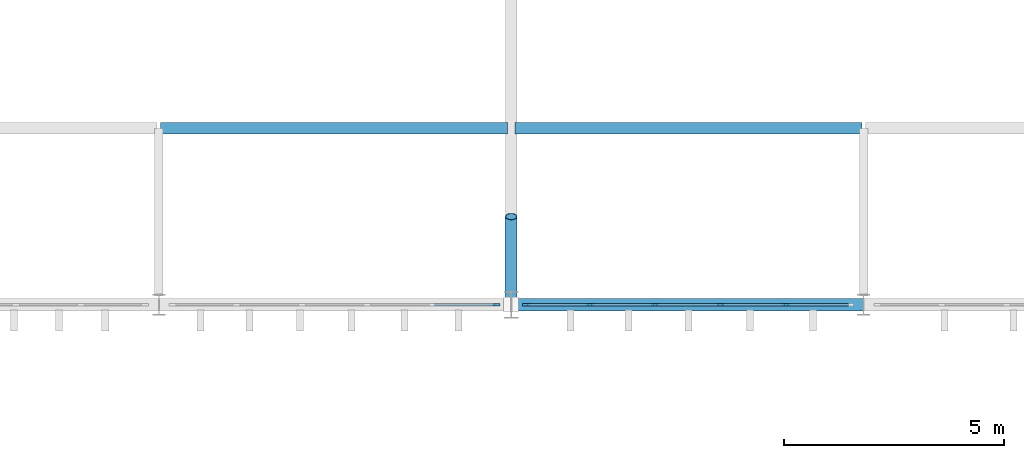
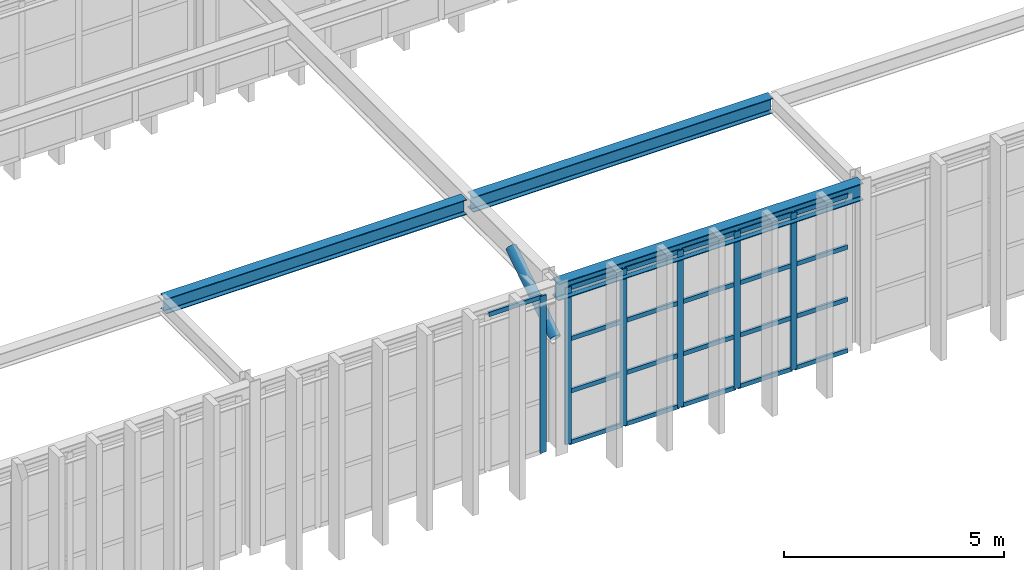
# One storey, part 20 of 61: 28 members, 3 beams, 2 elements without a shape of their own.
"""IFC4 building model written with IfcOpenShell, lengths in metres."""

from ifc_helpers import new_model, si_unit, direction, frame, origin, origin_2d, place, context, subcontext, project, spatial, rectangle, hollow_circle, i_section, extrude, material, material_profile, profile_set, type_object, element, aggregate, save


model = new_model("IFC4")

# Units and contexts
model_context = context("Model", 3, precision=1e-05, world=origin(), true_north=direction((0.0, 1.0)))
body_context = subcontext(model_context, "Body", "Model", "MODEL_VIEW")
ifc_project = project(units=[si_unit("LENGTHUNIT", "METRE"), si_unit("AREAUNIT", "SQUARE_METRE"), si_unit("VOLUMEUNIT", "CUBIC_METRE"), si_unit("PLANEANGLEUNIT", "RADIAN"), si_unit("MASSUNIT", "GRAM", prefix="KILO")], contexts=[model_context])

# Site, building, storey
site_placement = place(None, origin())
site = spatial("IfcSite", under=ifc_project, at=site_placement, CompositionType="ELEMENT")
building_placement = place(site_placement, origin())
building = spatial("IfcBuilding", under=site, at=building_placement, Name="Serraluz Foothill Cableway Terminal", CompositionType="ELEMENT")
storey_placement = place(building_placement, frame((0.0, 0.0, 15.0)))
storey = spatial("IfcBuildingStorey", under=building, at=storey_placement, Name="L03", CompositionType="ELEMENT", Elevation=15.0)

# Curtain wall, member
ifc_material_1 = material(Name="Architectural bronze alloy C28000", Category="aluminium")
curtain_wall_type_1 = type_object("IfcCurtainWallType", Name="TYP-CW-380X420", PredefinedType="NOTDEFINED", material=ifc_material_1)
curtain_wall_1_placement = place(storey_placement, origin())
curtain_wall_1 = element("IfcCurtainWall", 1, at=curtain_wall_1_placement, inside=storey, type_object=curtain_wall_type_1, Name="Ribbed Glazed Curtain Wall CW-V1S-L03-112", PredefinedType="NOTDEFINED")
ifc_material_profile_1 = material_profile(ifc_material_1, rectangle(XDim=0.06005859375, YDim=0.159912109375, at=origin_2d()), Name="ALU MULLION 60x160")
ifc_profile_set_1 = profile_set([ifc_material_profile_1], Name="Architectural bronze alloy C28000")
member_type_1 = type_object("IfcMemberType", Name="TYP-CW-MUL-60X160", PredefinedType="MULLION", material=ifc_profile_set_1)
member_1_placement = place(storey_placement, frame((119.66748046875, 56.0, 0.0), z_axis=(0.0, 0.0, 1.0), x_axis=(0.0, -1.0, 0.0)))
member_1 = element("IfcMember", 2, at=member_1_placement, type_object=member_type_1, Name="CW-17 mullion 1", PredefinedType="MULLION", context=body_context, shape_type="SweptSolid", body=[
    extrude(rectangle(XDim=0.06005859375, YDim=0.159912109375, at=origin_2d()), origin(), (0.0, 0.0, 1.0), 4.35009765625),
])

# Curtain wall, members
curtain_wall_type_2 = type_object("IfcCurtainWallType", Name="TYP-CW-360X380", PredefinedType="NOTDEFINED", material=ifc_material_1)
curtain_wall_2_placement = place(storey_placement, origin())
curtain_wall_2 = element("IfcCurtainWall", 3, at=curtain_wall_2_placement, inside=storey, type_object=curtain_wall_type_2, Name="Ribbed Glazed Curtain Wall CW-V1S-L03-120", PredefinedType="NOTDEFINED")
member_2_placement = place(storey_placement, frame((126.2353515625, 56.0, 0.0), z_axis=(0.0, 0.0, 1.0), x_axis=(0.0, -1.0, 0.0)))
member_2 = element("IfcMember", 4, at=member_2_placement, type_object=member_type_1, Name="CW-18 mullion 2", PredefinedType="MULLION", context=body_context, shape_type="SweptSolid", body=[
    extrude(rectangle(XDim=0.06005859375, YDim=0.159912109375, at=origin_2d()), origin(), (0.0, 0.0, 1.0), 4.35009765625),
])
member_3_placement = place(storey_placement, frame((124.752197265625, 56.0, 0.0), z_axis=(0.0, 0.0, 1.0), x_axis=(0.0, -1.0, 0.0)))
member_3 = element("IfcMember", 5, at=member_3_placement, type_object=member_type_1, Name="CW-18 mullion 3", PredefinedType="MULLION", context=body_context, shape_type="SweptSolid", body=[
    extrude(rectangle(XDim=0.06005859375, YDim=0.159912109375, at=origin_2d()), origin(), (0.0, 0.0, 1.0), 4.35009765625),
])
member_4_placement = place(storey_placement, frame((123.268798828125, 56.0, 0.0), z_axis=(0.0, 0.0, 1.0), x_axis=(0.0, -1.0, 0.0)))
member_4 = element("IfcMember", 6, at=member_4_placement, type_object=member_type_1, Name="CW-18 mullion 4", PredefinedType="MULLION", context=body_context, shape_type="SweptSolid", body=[
    extrude(rectangle(XDim=0.06005859375, YDim=0.159912109375, at=origin_2d()), origin(), (0.0, 0.0, 1.0), 4.35009765625),
])
member_5_placement = place(storey_placement, frame((121.78564453125, 56.0, 0.0), z_axis=(0.0, 0.0, 1.0), x_axis=(0.0, -1.0, 0.0)))
member_5 = element("IfcMember", 7, at=member_5_placement, type_object=member_type_1, Name="CW-18 mullion 5", PredefinedType="MULLION", context=body_context, shape_type="SweptSolid", body=[
    extrude(rectangle(XDim=0.06005859375, YDim=0.159912109375, at=origin_2d()), origin(), (0.0, 0.0, 1.0), 4.35009765625),
])
member_6_placement = place(storey_placement, frame((120.33251953125, 56.0, 0.0), z_axis=(0.0, 0.0, 1.0), x_axis=(0.0, -1.0, 0.0)))
member_6 = element("IfcMember", 8, at=member_6_placement, type_object=member_type_1, Name="CW-18 mullion 6", PredefinedType="MULLION", context=body_context, shape_type="SweptSolid", body=[
    extrude(rectangle(XDim=0.06005859375, YDim=0.159912109375, at=origin_2d()), origin(), (0.0, 0.0, 1.0), 4.35009765625),
])

# Member
ifc_material_profile_2 = material_profile(ifc_material_1, rectangle(XDim=0.06005859375, YDim=0.1201171875, at=origin_2d()), Name="ALU TRANSOM 60x120")
ifc_profile_set_2 = profile_set([ifc_material_profile_2], Name="Architectural bronze alloy C28000")
member_type_2 = type_object("IfcMemberType", Name="TYP-CW-TRN-60X120", PredefinedType="USERDEFINED", material=ifc_profile_set_2)
member_7_placement = place(storey_placement, frame((119.637451171875, 56.0, 4.320068359375), z_axis=(-1.0, 0.0, 0.0), x_axis=(0.0, -1.0, 0.0)))
member_7 = element("IfcMember", 9, at=member_7_placement, type_object=member_type_2, Name="CW-17 transom 1.4", ObjectType="TRANSOM", PredefinedType="USERDEFINED", context=body_context, shape_type="SweptSolid", body=[
    extrude(rectangle(XDim=0.06005859375, YDim=0.1201171875, at=origin_2d()), origin(), (0.0, 0.0, 1.0), 1.39306640625),
])

aggregate(curtain_wall_1, [member_1, member_7])

member_8_placement = place(storey_placement, frame((127.658447265625, 56.0, 0.030029296875), z_axis=(-1.0, 0.0, 0.0), x_axis=(0.0, -1.0, 0.0)))
member_8 = element("IfcMember", 10, at=member_8_placement, type_object=member_type_2, Name="CW-18 transom 1.1", ObjectType="TRANSOM", PredefinedType="USERDEFINED", context=body_context, shape_type="SweptSolid", body=[
    extrude(rectangle(XDim=0.06005859375, YDim=0.1201171875, at=origin_2d()), origin(), (0.0, 0.0, 1.0), 1.39306640625),
])

member_9_placement = place(storey_placement, frame((127.658447265625, 56.0, 1.449951171875), z_axis=(-1.0, 0.0, 0.0), x_axis=(0.0, -1.0, 0.0)))
member_9 = element("IfcMember", 11, at=member_9_placement, type_object=member_type_2, Name="CW-18 transom 1.2", ObjectType="TRANSOM", PredefinedType="USERDEFINED", context=body_context, shape_type="SweptSolid", body=[
    extrude(rectangle(XDim=0.06005859375, YDim=0.1201171875, at=origin_2d()), origin(), (0.0, 0.0, 1.0), 1.39306640625),
])

member_10_placement = place(storey_placement, frame((127.658447265625, 56.0, 2.89990234375), z_axis=(-1.0, 0.0, 0.0), x_axis=(0.0, -1.0, 0.0)))
member_10 = element("IfcMember", 12, at=member_10_placement, type_object=member_type_2, Name="CW-18 transom 1.3", ObjectType="TRANSOM", PredefinedType="USERDEFINED", context=body_context, shape_type="SweptSolid", body=[
    extrude(rectangle(XDim=0.06005859375, YDim=0.1201171875, at=origin_2d()), origin(), (0.0, 0.0, 1.0), 1.39306640625),
])

member_11_placement = place(storey_placement, frame((127.658447265625, 56.0, 4.320068359375), z_axis=(-1.0, 0.0, 0.0), x_axis=(0.0, -1.0, 0.0)))
member_11 = element("IfcMember", 13, at=member_11_placement, type_object=member_type_2, Name="CW-18 transom 1.4", ObjectType="TRANSOM", PredefinedType="USERDEFINED", context=body_context, shape_type="SweptSolid", body=[
    extrude(rectangle(XDim=0.06005859375, YDim=0.1201171875, at=origin_2d()), origin(), (0.0, 0.0, 1.0), 1.39306640625),
])

member_12_placement = place(storey_placement, frame((126.205322265625, 56.0, 0.030029296875), z_axis=(-1.0, 0.0, 0.0), x_axis=(0.0, -1.0, 0.0)))
member_12 = element("IfcMember", 14, at=member_12_placement, type_object=member_type_2, Name="CW-18 transom 2.1", ObjectType="TRANSOM", PredefinedType="USERDEFINED", context=body_context, shape_type="SweptSolid", body=[
    extrude(rectangle(XDim=0.06005859375, YDim=0.1201171875, at=origin_2d()), origin(), (0.0, 0.0, 1.0), 1.42333984375),
])

member_13_placement = place(storey_placement, frame((126.205322265625, 56.0, 1.449951171875), z_axis=(-1.0, 0.0, 0.0), x_axis=(0.0, -1.0, 0.0)))
member_13 = element("IfcMember", 15, at=member_13_placement, type_object=member_type_2, Name="CW-18 transom 2.2", ObjectType="TRANSOM", PredefinedType="USERDEFINED", context=body_context, shape_type="SweptSolid", body=[
    extrude(rectangle(XDim=0.06005859375, YDim=0.1201171875, at=origin_2d()), origin(), (0.0, 0.0, 1.0), 1.42333984375),
])

member_14_placement = place(storey_placement, frame((126.205322265625, 56.0, 2.89990234375), z_axis=(-1.0, 0.0, 0.0), x_axis=(0.0, -1.0, 0.0)))
member_14 = element("IfcMember", 16, at=member_14_placement, type_object=member_type_2, Name="CW-18 transom 2.3", ObjectType="TRANSOM", PredefinedType="USERDEFINED", context=body_context, shape_type="SweptSolid", body=[
    extrude(rectangle(XDim=0.06005859375, YDim=0.1201171875, at=origin_2d()), origin(), (0.0, 0.0, 1.0), 1.42333984375),
])

member_15_placement = place(storey_placement, frame((126.205322265625, 56.0, 4.320068359375), z_axis=(-1.0, 0.0, 0.0), x_axis=(0.0, -1.0, 0.0)))
member_15 = element("IfcMember", 17, at=member_15_placement, type_object=member_type_2, Name="CW-18 transom 2.4", ObjectType="TRANSOM", PredefinedType="USERDEFINED", context=body_context, shape_type="SweptSolid", body=[
    extrude(rectangle(XDim=0.06005859375, YDim=0.1201171875, at=origin_2d()), origin(), (0.0, 0.0, 1.0), 1.42333984375),
])

member_16_placement = place(storey_placement, frame((124.72216796875, 56.0, 0.030029296875), z_axis=(-1.0, 0.0, 0.0), x_axis=(0.0, -1.0, 0.0)))
member_16 = element("IfcMember", 18, at=member_16_placement, type_object=member_type_2, Name="CW-18 transom 3.1", ObjectType="TRANSOM", PredefinedType="USERDEFINED", context=body_context, shape_type="SweptSolid", body=[
    extrude(rectangle(XDim=0.06005859375, YDim=0.1201171875, at=origin_2d()), origin(), (0.0, 0.0, 1.0), 1.42333984375),
])

member_17_placement = place(storey_placement, frame((124.72216796875, 56.0, 1.449951171875), z_axis=(-1.0, 0.0, 0.0), x_axis=(0.0, -1.0, 0.0)))
member_17 = element("IfcMember", 19, at=member_17_placement, type_object=member_type_2, Name="CW-18 transom 3.2", ObjectType="TRANSOM", PredefinedType="USERDEFINED", context=body_context, shape_type="SweptSolid", body=[
    extrude(rectangle(XDim=0.06005859375, YDim=0.1201171875, at=origin_2d()), origin(), (0.0, 0.0, 1.0), 1.42333984375),
])

member_18_placement = place(storey_placement, frame((124.72216796875, 56.0, 2.89990234375), z_axis=(-1.0, 0.0, 0.0), x_axis=(0.0, -1.0, 0.0)))
member_18 = element("IfcMember", 20, at=member_18_placement, type_object=member_type_2, Name="CW-18 transom 3.3", ObjectType="TRANSOM", PredefinedType="USERDEFINED", context=body_context, shape_type="SweptSolid", body=[
    extrude(rectangle(XDim=0.06005859375, YDim=0.1201171875, at=origin_2d()), origin(), (0.0, 0.0, 1.0), 1.42333984375),
])

member_19_placement = place(storey_placement, frame((124.72216796875, 56.0, 4.320068359375), z_axis=(-1.0, 0.0, 0.0), x_axis=(0.0, -1.0, 0.0)))
member_19 = element("IfcMember", 21, at=member_19_placement, type_object=member_type_2, Name="CW-18 transom 3.4", ObjectType="TRANSOM", PredefinedType="USERDEFINED", context=body_context, shape_type="SweptSolid", body=[
    extrude(rectangle(XDim=0.06005859375, YDim=0.1201171875, at=origin_2d()), origin(), (0.0, 0.0, 1.0), 1.42333984375),
])

member_20_placement = place(storey_placement, frame((123.239013671875, 56.0, 0.030029296875), z_axis=(-1.0, 0.0, 0.0), x_axis=(0.0, -1.0, 0.0)))
member_20 = element("IfcMember", 22, at=member_20_placement, type_object=member_type_2, Name="CW-18 transom 4.1", ObjectType="TRANSOM", PredefinedType="USERDEFINED", context=body_context, shape_type="SweptSolid", body=[
    extrude(rectangle(XDim=0.06005859375, YDim=0.1201171875, at=origin_2d()), origin(), (0.0, 0.0, 1.0), 1.42333984375),
])

member_21_placement = place(storey_placement, frame((123.239013671875, 56.0, 1.449951171875), z_axis=(-1.0, 0.0, 0.0), x_axis=(0.0, -1.0, 0.0)))
member_21 = element("IfcMember", 23, at=member_21_placement, type_object=member_type_2, Name="CW-18 transom 4.2", ObjectType="TRANSOM", PredefinedType="USERDEFINED", context=body_context, shape_type="SweptSolid", body=[
    extrude(rectangle(XDim=0.06005859375, YDim=0.1201171875, at=origin_2d()), origin(), (0.0, 0.0, 1.0), 1.42333984375),
])

member_22_placement = place(storey_placement, frame((123.239013671875, 56.0, 2.89990234375), z_axis=(-1.0, 0.0, 0.0), x_axis=(0.0, -1.0, 0.0)))
member_22 = element("IfcMember", 24, at=member_22_placement, type_object=member_type_2, Name="CW-18 transom 4.3", ObjectType="TRANSOM", PredefinedType="USERDEFINED", context=body_context, shape_type="SweptSolid", body=[
    extrude(rectangle(XDim=0.06005859375, YDim=0.1201171875, at=origin_2d()), origin(), (0.0, 0.0, 1.0), 1.42333984375),
])

member_23_placement = place(storey_placement, frame((123.239013671875, 56.0, 4.320068359375), z_axis=(-1.0, 0.0, 0.0), x_axis=(0.0, -1.0, 0.0)))
member_23 = element("IfcMember", 25, at=member_23_placement, type_object=member_type_2, Name="CW-18 transom 4.4", ObjectType="TRANSOM", PredefinedType="USERDEFINED", context=body_context, shape_type="SweptSolid", body=[
    extrude(rectangle(XDim=0.06005859375, YDim=0.1201171875, at=origin_2d()), origin(), (0.0, 0.0, 1.0), 1.42333984375),
])

member_24_placement = place(storey_placement, frame((121.755615234375, 56.0, 0.030029296875), z_axis=(-1.0, 0.0, 0.0), x_axis=(0.0, -1.0, 0.0)))
member_24 = element("IfcMember", 26, at=member_24_placement, type_object=member_type_2, Name="CW-18 transom 5.1", ObjectType="TRANSOM", PredefinedType="USERDEFINED", context=body_context, shape_type="SweptSolid", body=[
    extrude(rectangle(XDim=0.06005859375, YDim=0.1201171875, at=origin_2d()), origin(), (0.0, 0.0, 1.0), 1.39306640625),
])

member_25_placement = place(storey_placement, frame((121.755615234375, 56.0, 1.449951171875), z_axis=(-1.0, 0.0, 0.0), x_axis=(0.0, -1.0, 0.0)))
member_25 = element("IfcMember", 27, at=member_25_placement, type_object=member_type_2, Name="CW-18 transom 5.2", ObjectType="TRANSOM", PredefinedType="USERDEFINED", context=body_context, shape_type="SweptSolid", body=[
    extrude(rectangle(XDim=0.06005859375, YDim=0.1201171875, at=origin_2d()), origin(), (0.0, 0.0, 1.0), 1.39306640625),
])

member_26_placement = place(storey_placement, frame((121.755615234375, 56.0, 2.89990234375), z_axis=(-1.0, 0.0, 0.0), x_axis=(0.0, -1.0, 0.0)))
member_26 = element("IfcMember", 28, at=member_26_placement, type_object=member_type_2, Name="CW-18 transom 5.3", ObjectType="TRANSOM", PredefinedType="USERDEFINED", context=body_context, shape_type="SweptSolid", body=[
    extrude(rectangle(XDim=0.06005859375, YDim=0.1201171875, at=origin_2d()), origin(), (0.0, 0.0, 1.0), 1.39306640625),
])

member_27_placement = place(storey_placement, frame((121.755615234375, 56.0, 4.320068359375), z_axis=(-1.0, 0.0, 0.0), x_axis=(0.0, -1.0, 0.0)))
member_27 = element("IfcMember", 29, at=member_27_placement, type_object=member_type_2, Name="CW-18 transom 5.4", ObjectType="TRANSOM", PredefinedType="USERDEFINED", context=body_context, shape_type="SweptSolid", body=[
    extrude(rectangle(XDim=0.06005859375, YDim=0.1201171875, at=origin_2d()), origin(), (0.0, 0.0, 1.0), 1.39306640625),
])

aggregate(curtain_wall_2, [member_2, member_3, member_4, member_5, member_6, member_8, member_9, member_10, member_11, member_12, member_13, member_14, member_15, member_16, member_17, member_18, member_19, member_20, member_21, member_22, member_23, member_24, member_25, member_26, member_27])

# Beams
ifc_material_2 = material(Name="Steel ASTM A992 Grade 50", Category="steel")
ifc_material_profile_3 = material_profile(ifc_material_2, i_section(OverallWidth=0.260009765625, OverallDepth=0.4189453125, WebThickness=0.01171875, FlangeThickness=0.019287109375, FilletRadius=0.013916015625, at=origin_2d()), Name="W16X77")
ifc_profile_set_3 = profile_set([ifc_material_profile_3], Name="Steel ASTM A992 Grade 50")
beam_type_1 = type_object("IfcBeamType", Name="TYP-JS-W16X77", PredefinedType="JOIST", material=ifc_profile_set_3)
for number, where, z_axis, x_axis, name in (
    (30, (112.0400390625, 60.0, 4.35009765625), (1.0, 0.0, 0.0), (0.0, 1.0, 0.0), "Eaves Gallery Support Beam 112-60"),
    (31, (120.0849609375, 60.0, 4.35009765625), (1.0, 0.0, 0.0), (0.0, 1.0, 0.0), "Eaves Gallery Support Beam 120-60"),
):
    element("IfcBeam", number, at=place(storey_placement, frame(where, z_axis=z_axis, x_axis=x_axis)), inside=storey, type_object=beam_type_1, Name=name, PredefinedType="JOIST", context=body_context, shape_type="SweptSolid", body=[
        extrude(i_section(OverallWidth=0.260009765625, OverallDepth=0.4189453125, WebThickness=0.01171875, FlangeThickness=0.019287109375, FilletRadius=0.013916015625, at=origin_2d()), origin(), (0.0, 0.0, 1.0), 7.875),
    ])
ifc_material_profile_4 = material_profile(ifc_material_2, i_section(OverallWidth=0.282958984375, OverallDepth=0.471923828125, WebThickness=0.013671875, FlangeThickness=0.022216796875, FilletRadius=0.014892578125, at=origin_2d()), Name="W18X97")
ifc_profile_set_4 = profile_set([ifc_material_profile_4], Name="Steel ASTM A992 Grade 50")
beam_type_2 = type_object("IfcBeamType", Name="TYP-SP-W18X97", PredefinedType="SPANDREL", material=ifc_profile_set_4)
beam_placement = place(storey_placement, frame((120.0048828125, 56.0, 4.384033203125), z_axis=(1.0, 0.0, 0.0), x_axis=(0.0, 1.0, 0.0)))
element("IfcBeam", 32, at=beam_placement, inside=storey, type_object=beam_type_2, Name="Primary Girder BM-X-L03-0358", PredefinedType="SPANDREL", context=body_context, shape_type="SweptSolid", body=[
    extrude(i_section(OverallWidth=0.282958984375, OverallDepth=0.471923828125, WebThickness=0.013671875, FlangeThickness=0.022216796875, FilletRadius=0.014892578125, at=origin_2d()), origin(), (0.0, 0.0, 1.0), 7.990234375),
])

# Member
ifc_material_3 = material(Name="Steel ASTM A572 Grade 50", Category="steel")
ifc_material_profile_5 = material_profile(ifc_material_3, hollow_circle(Radius=0.136474609375, WallThickness=0.011962890625, at=origin_2d()), Name="CHS273X12")
ifc_profile_set_5 = profile_set([ifc_material_profile_5], Name="Steel ASTM A572 Grade 50")
member_type_3 = type_object("IfcMemberType", Name="TYP-ST-CHS273", PredefinedType="STRUT", material=ifc_profile_set_5)
member_28_placement = place(storey_placement, frame((120.0, 56.0, 3.050048828125), z_axis=(0.0, 0.838434262763, 0.545002740383), x_axis=(-1.0, 0.0, 0.0)))
element("IfcMember", 33, at=member_28_placement, inside=storey, type_object=member_type_3, Name="Portal Knee Strut STRUT-TR-06-S", PredefinedType="STRUT", context=body_context, shape_type="SweptSolid", body=[
    extrude(hollow_circle(Radius=0.136474609375, WallThickness=0.011962890625, at=origin_2d()), origin(), (0.0, 0.0, 1.0), 2.385498046875),
])

save(model, "model.ifc")
